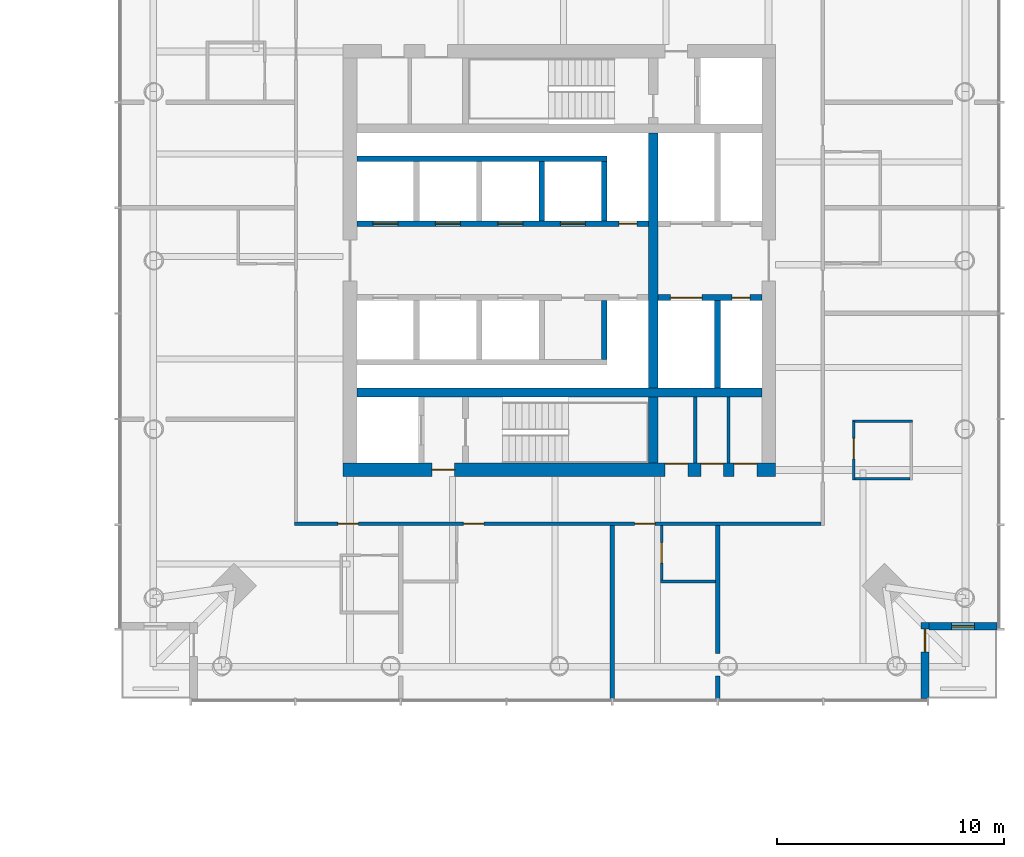
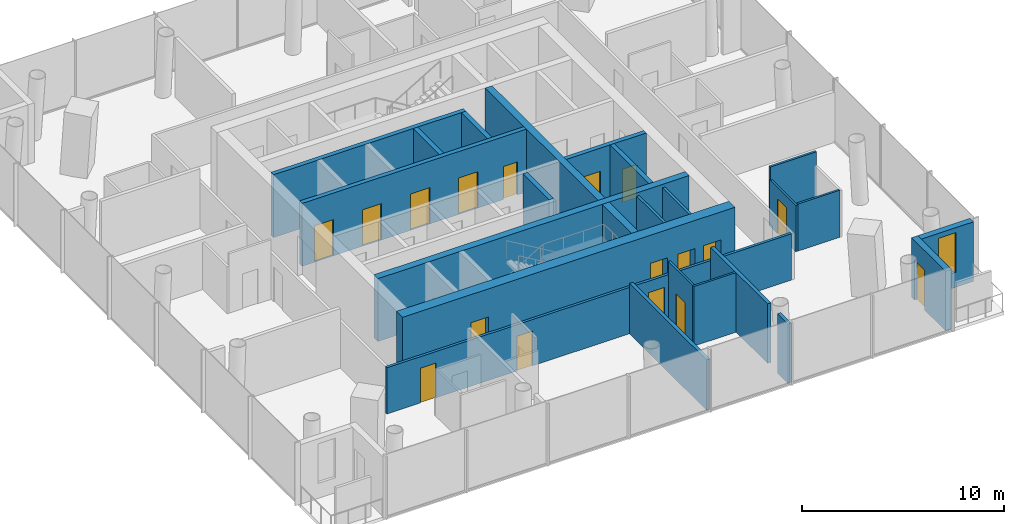
# One storey, part 15 of 21: 24 walls, 17 doors, 1 window, 18 openings.
"""IFC4 building model written with IfcOpenShell, lengths in metres."""

from ifc_helpers import new_model, si_unit, direction, frame, frame_2d, origin, place, context, subcontext, project, spatial, rectangle, extrude, material, layer, layer_set, type_object, element, fill, save


model = new_model("IFC4")

# Units and contexts
model_context = context("Model", 3, precision=1e-05, world=origin(), true_north=direction((0.0, 1.0)))
body_context = subcontext(model_context, "Body", "Model", "MODEL_VIEW")
ifc_project = project(units=[si_unit("LENGTHUNIT", "METRE"), si_unit("AREAUNIT", "SQUARE_METRE"), si_unit("VOLUMEUNIT", "CUBIC_METRE"), si_unit("PLANEANGLEUNIT", "RADIAN"), si_unit("MASSUNIT", "GRAM", prefix="KILO")], contexts=[model_context])

# Site, building, storey
site_placement = place(None, origin())
site = spatial("IfcSite", under=ifc_project, at=site_placement, CompositionType="ELEMENT")
building_placement = place(site_placement, origin())
building = spatial("IfcBuilding", under=site, at=building_placement, Name="Ostroluk Exchange", CompositionType="ELEMENT")
storey_placement = place(building_placement, frame((0.0, 0.0, 47.60009765625)))
storey = spatial("IfcBuildingStorey", under=building, at=storey_placement, Name="L11", CompositionType="ELEMENT", Elevation=47.60009765625)

# Walls
ifc_material_1 = material(Name="Concrete blockwork", Category="masonry")
ifc_layer_1 = layer(ifc_material_1, 0.14990234375)
ifc_layer_set_1 = layer_set([ifc_layer_1], Name="Blockwork plant room wall 150")
wall_type_1 = type_object("IfcWallType", Name="Blockwork plant room wall 150", PredefinedType="SOLIDWALL", material=ifc_layer_set_1)
for number, where, z_axis, x_axis, name in (
    (1, (122.97509765625, 37.10009765625, 0.0), (0.0, 0.0, 1.0), (0.0, 1.0, 0.0), "Core room wall"),
    (2, (124.4375, 37.10009765625, 0.0), (0.0, 0.0, 1.0), (0.0, 1.0, 0.0), "Core room wall"),
):
    element("IfcWall", number, at=place(storey_placement, frame(where, z_axis=z_axis, x_axis=x_axis)), inside=storey, type_object=wall_type_1, Name=name, PredefinedType="SOLIDWALL", context=body_context, shape_type="SweptSolid", body=[
        extrude(rectangle(XDim=2.89990234375, YDim=0.14990234375, at=frame_2d((1.449951171875, 0.0))), origin(), (0.0, 0.0, 1.0), 3.599853515625),
    ])
ifc_material_2 = material(Name="Concrete C50/60", Category="concrete")
ifc_layer_2 = layer(ifc_material_2, 0.39990234375)
ifc_layer_set_2 = layer_set([ifc_layer_2], Name="Core cross wall 400 C50/60")
wall_type_2 = type_object("IfcWallType", Name="Core cross wall 400 C50/60", PredefinedType="SHEAR", material=ifc_layer_set_2)
wall_1_placement = place(storey_placement, frame((108.10009765625, 40.199951171875, 0.0), z_axis=(0.0, 0.0, 1.0), x_axis=(1.0, 0.0, 0.0)))
element("IfcWall", 3, at=wall_1_placement, inside=storey, type_object=wall_type_2, Name="T2 core wall XS", PredefinedType="SHEAR", context=body_context, shape_type="SweptSolid", body=[
    extrude(rectangle(XDim=17.7998046875, YDim=0.39990234375, at=frame_2d((8.89990234375, 0.0))), origin(), (0.0, 0.0, 1.0), 3.7998046875),
])
wall_2_placement = place(storey_placement, frame((121.1298828125, 37.10009765625, 0.0), z_axis=(0.0, 0.0, 1.0), x_axis=(0.0, 1.0, 0.0)))
element("IfcWall", 4, at=wall_2_placement, inside=storey, type_object=wall_type_2, Name="T2 core wall YE1", PredefinedType="SHEAR", context=body_context, shape_type="SweptSolid", body=[
    extrude(rectangle(XDim=2.89990234375, YDim=0.39990234375, at=frame_2d((1.449951171875, 0.0))), origin(), (0.0, 0.0, 1.0), 3.7998046875),
])
wall_3_placement = place(storey_placement, frame((121.1298828125, 40.39990234375, 0.0), z_axis=(0.0, 0.0, 1.0), x_axis=(0.0, 1.0, 0.0)))
element("IfcWall", 5, at=wall_3_placement, inside=storey, type_object=wall_type_2, Name="T2 core wall YE2", PredefinedType="SHEAR", context=body_context, shape_type="SweptSolid", body=[
    extrude(rectangle(XDim=11.2001953125, YDim=0.39990234375, at=frame_2d((5.60009765625, 0.0))), origin(), (0.0, 0.0, 1.0), 3.7998046875),
])
ifc_material_3 = material(Name="Concrete C40/50", Category="concrete")
ifc_layer_3 = layer(ifc_material_3, 0.25)
ifc_layer_set_3 = layer_set([ifc_layer_3], Name="Core shaft wall 250")
wall_type_3 = type_object("IfcWallType", Name="Core shaft wall 250", PredefinedType="SHEAR", material=ifc_layer_set_3)
for number, where, z_axis, x_axis, name in (
    (6, (116.22509765625, 47.75, 0.0), (0.0, 0.0, 1.0), (0.0, 1.0, 0.0), "Lift shaft wall"),
    (7, (118.97509765625, 47.75, 0.0), (0.0, 0.0, 1.0), (0.0, 1.0, 0.0), "Lift shaft wall"),
):
    element("IfcWall", number, at=place(storey_placement, frame(where, z_axis=z_axis, x_axis=x_axis)), inside=storey, type_object=wall_type_3, Name=name, PredefinedType="SHEAR", context=body_context, shape_type="SweptSolid", body=[
        extrude(rectangle(XDim=2.60009765625, YDim=0.25, at=frame_2d((1.300048828125, 0.0))), origin(), (0.0, 0.0, 1.0), 3.7998046875),
    ])
wall_4_placement = place(storey_placement, frame((108.10009765625, 50.47509765625, 0.0), z_axis=(0.0, 0.0, 1.0), x_axis=(1.0, 0.0, 0.0)))
element("IfcWall", 8, at=wall_4_placement, inside=storey, type_object=wall_type_3, Name="Lift shaft wall", PredefinedType="SHEAR", context=body_context, shape_type="SweptSolid", body=[
    extrude(rectangle(XDim=11.0, YDim=0.25, at=frame_2d((5.5, 0.0))), origin(), (0.0, 0.0, 1.0), 3.7998046875),
])

# Wall, openings, doors
wall_5_placement = place(storey_placement, frame((108.10009765625, 47.625, 0.0), z_axis=(0.0, 0.0, 1.0), x_axis=(1.0, 0.0, 0.0)))
wall_5 = element("IfcWall", 9, at=wall_5_placement, inside=storey, type_object=wall_type_3, Name="Lift shaft front wall", PredefinedType="SHEAR", context=body_context, shape_type="SweptSolid", body=[
    extrude(rectangle(XDim=12.829833984375, YDim=0.25, at=frame_2d((6.4150390625, 0.0))), origin(), (0.0, 0.0, 1.0), 3.7998046875),
])
opening_1_placement = place(wall_5_placement, frame((0.699951171875, 0.0, 0.0)))
opening_1 = element("IfcOpeningElement", 10, at=opening_1_placement, cuts=wall_5, Name="Opening LD", PredefinedType="OPENING", context=body_context, shape_type="SweptSolid", body=[
    extrude(rectangle(XDim=1.10009765625, YDim=2.199951171875, at=frame_2d((0.550048828125, 1.10009765625))), frame((0.0, 0.135009765625, 0.0), z_axis=(0.0, -1.0, 0.0), x_axis=(1.0, 0.0, 0.0)), (0.0, 0.0, 1.0), 0.27001953125),
])
opening_2_placement = place(wall_5_placement, frame((3.449951171875, 0.0, 0.0)))
opening_2 = element("IfcOpeningElement", 11, at=opening_2_placement, cuts=wall_5, Name="Opening LD", PredefinedType="OPENING", context=body_context, shape_type="SweptSolid", body=[
    extrude(rectangle(XDim=1.10009765625, YDim=2.199951171875, at=frame_2d((0.550048828125, 1.10009765625))), frame((0.0, 0.135009765625, 0.0), z_axis=(0.0, -1.0, 0.0), x_axis=(1.0, 0.0, 0.0)), (0.0, 0.0, 1.0), 0.27001953125),
])
opening_3_placement = place(wall_5_placement, frame((6.199951171875, 0.0, 0.0)))
opening_3 = element("IfcOpeningElement", 12, at=opening_3_placement, cuts=wall_5, Name="Opening LD", PredefinedType="OPENING", context=body_context, shape_type="SweptSolid", body=[
    extrude(rectangle(XDim=1.10009765625, YDim=2.199951171875, at=frame_2d((0.550048828125, 1.10009765625))), frame((0.0, 0.135009765625, 0.0), z_axis=(0.0, -1.0, 0.0), x_axis=(1.0, 0.0, 0.0)), (0.0, 0.0, 1.0), 0.27001953125),
])
opening_4_placement = place(wall_5_placement, frame((8.949951171875, 0.0, 0.0)))
opening_4 = element("IfcOpeningElement", 13, at=opening_4_placement, cuts=wall_5, Name="Opening LD", PredefinedType="OPENING", context=body_context, shape_type="SweptSolid", body=[
    extrude(rectangle(XDim=1.10009765625, YDim=2.199951171875, at=frame_2d((0.550048828125, 1.10009765625))), frame((0.0, 0.135009765625, 0.0), z_axis=(0.0, -1.0, 0.0), x_axis=(1.0, 0.0, 0.0)), (0.0, 0.0, 1.0), 0.27001953125),
])
opening_5_placement = place(wall_5_placement, frame((11.514892578125, 0.0, 0.0)))
opening_5 = element("IfcOpeningElement", 14, at=opening_5_placement, cuts=wall_5, Name="Opening RD60", PredefinedType="OPENING", context=body_context, shape_type="SweptSolid", body=[
    extrude(rectangle(XDim=0.800048828125, YDim=2.0, at=frame_2d((0.39990234375, 1.0))), frame((0.0, 0.135009765625, 0.0), z_axis=(0.0, -1.0, 0.0), x_axis=(1.0, 0.0, 0.0)), (0.0, 0.0, 1.0), 0.27001953125),
])
ifc_material_4 = material(Name="Stainless steel", Category="steel")
door_type_1 = type_object("IfcDoorType", Name="Lift landing door E 60 1100 x 2200", OperationType="DOUBLE_DOOR_SLIDING", PredefinedType="DOOR", material=ifc_material_4)
door_1_placement = place(opening_1_placement, origin())
door_1 = element("IfcDoor", 15, at=door_1_placement, inside=storey, type_object=door_type_1, Name="Lift HL1 landing door", OperationType="DOUBLE_DOOR_SLIDING", OverallHeight=2.199951171875, OverallWidth=1.10009765625, PredefinedType="DOOR", context=body_context, shape_type="SweptSolid", body=[
    extrude(rectangle(XDim=1.10009765625, YDim=2.199951171875, at=frame_2d((0.550048828125, 1.10009765625))), frame((0.0, 0.02490234375, 0.0), z_axis=(0.0, -1.0, 0.0), x_axis=(1.0, 0.0, 0.0)), (0.0, 0.0, 1.0), 0.050048828125),
])
fill(opening_1, door_1)
door_2_placement = place(opening_2_placement, origin())
door_2 = element("IfcDoor", 16, at=door_2_placement, inside=storey, type_object=door_type_1, Name="Lift HL2 landing door", OperationType="DOUBLE_DOOR_SLIDING", OverallHeight=2.199951171875, OverallWidth=1.10009765625, PredefinedType="DOOR", context=body_context, shape_type="SweptSolid", body=[
    extrude(rectangle(XDim=1.10009765625, YDim=2.199951171875, at=frame_2d((0.550048828125, 1.10009765625))), frame((0.0, 0.02490234375, 0.0), z_axis=(0.0, -1.0, 0.0), x_axis=(1.0, 0.0, 0.0)), (0.0, 0.0, 1.0), 0.050048828125),
])
fill(opening_2, door_2)
door_3_placement = place(opening_3_placement, origin())
door_3 = element("IfcDoor", 17, at=door_3_placement, inside=storey, type_object=door_type_1, Name="Lift HL3 landing door", OperationType="DOUBLE_DOOR_SLIDING", OverallHeight=2.199951171875, OverallWidth=1.10009765625, PredefinedType="DOOR", context=body_context, shape_type="SweptSolid", body=[
    extrude(rectangle(XDim=1.10009765625, YDim=2.199951171875, at=frame_2d((0.550048828125, 1.10009765625))), frame((0.0, 0.02490234375, 0.0), z_axis=(0.0, -1.0, 0.0), x_axis=(1.0, 0.0, 0.0)), (0.0, 0.0, 1.0), 0.050048828125),
])
fill(opening_3, door_3)
door_4_placement = place(opening_4_placement, origin())
door_4 = element("IfcDoor", 18, at=door_4_placement, inside=storey, type_object=door_type_1, Name="Lift HL4 landing door", OperationType="DOUBLE_DOOR_SLIDING", OverallHeight=2.199951171875, OverallWidth=1.10009765625, PredefinedType="DOOR", context=body_context, shape_type="SweptSolid", body=[
    extrude(rectangle(XDim=1.10009765625, YDim=2.199951171875, at=frame_2d((0.550048828125, 1.10009765625))), frame((0.0, 0.02490234375, 0.0), z_axis=(0.0, -1.0, 0.0), x_axis=(1.0, 0.0, 0.0)), (0.0, 0.0, 1.0), 0.050048828125),
])
fill(opening_4, door_4)
ifc_material_5 = material(Name="Steel", Category="steel")
door_type_2 = type_object("IfcDoorType", Name="Riser access door EI 60 800 x 2000", OperationType="SINGLE_SWING_LEFT", PredefinedType="DOOR", material=ifc_material_5)
door_5_placement = place(opening_5_placement, origin())
door_5 = element("IfcDoor", 19, at=door_5_placement, inside=storey, type_object=door_type_2, Name="Riser access door", OperationType="SINGLE_SWING_RIGHT", OverallHeight=2.0, OverallWidth=0.800048828125, PredefinedType="DOOR", context=body_context, shape_type="SweptSolid", body=[
    extrude(rectangle(XDim=0.800048828125, YDim=2.0, at=frame_2d((0.39990234375, 1.0))), frame((0.0, 0.02490234375, 0.0), z_axis=(0.0, -1.0, 0.0), x_axis=(1.0, 0.0, 0.0)), (0.0, 0.0, 1.0), 0.050048828125),
])
fill(opening_5, door_5)

# Walls
wall_6_placement = place(storey_placement, frame((118.97509765625, 44.25, 0.0), z_axis=(0.0, 0.0, 1.0), x_axis=(0.0, -1.0, 0.0)))
element("IfcWall", 20, at=wall_6_placement, inside=storey, type_object=wall_type_3, Name="Lift shaft wall", PredefinedType="SHEAR", context=body_context, shape_type="SweptSolid", body=[
    extrude(rectangle(XDim=2.60009765625, YDim=0.25, at=frame_2d((1.300048828125, 0.0))), origin(), (0.0, 0.0, 1.0), 3.7998046875),
])
wall_7_placement = place(storey_placement, frame((123.955078125, 44.25, 0.0), z_axis=(0.0, 0.0, 1.0), x_axis=(0.0, -1.0, 0.0)))
element("IfcWall", 21, at=wall_7_placement, inside=storey, type_object=wall_type_3, Name="Lift shaft wall", PredefinedType="SHEAR", context=body_context, shape_type="SweptSolid", body=[
    extrude(rectangle(XDim=3.85009765625, YDim=0.25, at=frame_2d((1.925048828125, 0.0))), origin(), (0.0, 0.0, 1.0), 3.7998046875),
])

# Wall, openings, doors
wall_8_placement = place(storey_placement, frame((121.330078125, 44.375, 0.0), z_axis=(0.0, 0.0, 1.0), x_axis=(1.0, 0.0, 0.0)))
wall_8 = element("IfcWall", 22, at=wall_8_placement, inside=storey, type_object=wall_type_3, Name="Lift shaft front wall", PredefinedType="SHEAR", context=body_context, shape_type="SweptSolid", body=[
    extrude(rectangle(XDim=4.56982421875, YDim=0.25, at=frame_2d((2.284912109375, 0.0))), origin(), (0.0, 0.0, 1.0), 3.7998046875),
])
opening_6_placement = place(wall_8_placement, frame((0.550048828125, 0.0, 0.0)))
opening_6 = element("IfcOpeningElement", 23, at=opening_6_placement, cuts=wall_8, Name="Opening LD3", PredefinedType="OPENING", context=body_context, shape_type="SweptSolid", body=[
    extrude(rectangle(XDim=1.39990234375, YDim=2.39990234375, at=frame_2d((0.699951171875, 1.199951171875))), frame((0.0, 0.135009765625, 0.0), z_axis=(0.0, -1.0, 0.0), x_axis=(1.0, 0.0, 0.0)), (0.0, 0.0, 1.0), 0.27001953125),
])
opening_7_placement = place(wall_8_placement, frame((3.260009765625, 0.0, 0.0)))
opening_7 = element("IfcOpeningElement", 24, at=opening_7_placement, cuts=wall_8, Name="Opening RD60", PredefinedType="OPENING", context=body_context, shape_type="SweptSolid", body=[
    extrude(rectangle(XDim=0.800048828125, YDim=2.0, at=frame_2d((0.39990234375, 1.0))), frame((0.0, 0.135009765625, 0.0), z_axis=(0.0, -1.0, 0.0), x_axis=(1.0, 0.0, 0.0)), (0.0, 0.0, 1.0), 0.27001953125),
])
ifc_material_6 = material(Name="Stainless steel", Category="steel")
door_type_3 = type_object("IfcDoorType", Name="Goods lift landing door E 60 1400 x 2400", OperationType="DOUBLE_DOOR_SLIDING", PredefinedType="DOOR", material=ifc_material_6)
door_6_placement = place(opening_6_placement, origin())
door_6 = element("IfcDoor", 25, at=door_6_placement, inside=storey, type_object=door_type_3, Name="Lift HS2 landing door", OperationType="DOUBLE_DOOR_SLIDING", OverallHeight=2.39990234375, OverallWidth=1.39990234375, PredefinedType="DOOR", context=body_context, shape_type="SweptSolid", body=[
    extrude(rectangle(XDim=1.39990234375, YDim=2.39990234375, at=frame_2d((0.699951171875, 1.199951171875))), frame((0.0, 0.02490234375, 0.0), z_axis=(0.0, -1.0, 0.0), x_axis=(1.0, 0.0, 0.0)), (0.0, 0.0, 1.0), 0.050048828125),
])
fill(opening_6, door_6)
door_7_placement = place(opening_7_placement, origin())
door_7 = element("IfcDoor", 26, at=door_7_placement, inside=storey, type_object=door_type_2, Name="Riser access door", OperationType="SINGLE_SWING_RIGHT", OverallHeight=2.0, OverallWidth=0.800048828125, PredefinedType="DOOR", context=body_context, shape_type="SweptSolid", body=[
    extrude(rectangle(XDim=0.800048828125, YDim=2.0, at=frame_2d((0.39990234375, 1.0))), frame((0.0, 0.02490234375, 0.0), z_axis=(0.0, -1.0, 0.0), x_axis=(1.0, 0.0, 0.0)), (0.0, 0.0, 1.0), 0.050048828125),
])
fill(opening_7, door_7)

ifc_material_7 = material(Name="Concrete C50/60", Category="concrete")
ifc_layer_4 = layer(ifc_material_7, 0.60009765625)
ifc_layer_set_4 = layer_set([ifc_layer_4], Name="Core wall 600 C50/60")
wall_type_4 = type_object("IfcWallType", Name="Core wall 600 C50/60", PredefinedType="SHEAR", material=ifc_layer_set_4)
wall_9_placement = place(storey_placement, frame((107.5, 36.800048828125, 0.0), z_axis=(0.0, 0.0, 1.0), x_axis=(1.0, 0.0, 0.0)))
wall_9 = element("IfcWall", 27, at=wall_9_placement, inside=storey, type_object=wall_type_4, Name="T2 core wall S", PredefinedType="SHEAR", context=body_context, shape_type="SweptSolid", body=[
    extrude(rectangle(XDim=19.0, YDim=0.60009765625, at=frame_2d((9.5, 0.0))), origin(), (0.0, 0.0, 1.0), 3.7998046875),
])
opening_8_placement = place(wall_9_placement, frame((3.89990234375, 0.0, 0.0)))
opening_8 = element("IfcOpeningElement", 28, at=opening_8_placement, cuts=wall_9, Name="Opening FD60", PredefinedType="OPENING", context=body_context, shape_type="SweptSolid", body=[
    extrude(rectangle(XDim=1.0, YDim=2.10009765625, at=frame_2d((0.5, 1.050048828125))), frame((0.0, 0.31005859375, 0.0), z_axis=(0.0, -1.0, 0.0), x_axis=(1.0, 0.0, 0.0)), (0.0, 0.0, 1.0), 0.6201171875),
])
opening_9_placement = place(wall_9_placement, frame((14.152587890625, 0.0, 0.0)))
opening_9 = element("IfcOpeningElement", 29, at=opening_9_placement, cuts=wall_9, Name="Opening FD60", PredefinedType="OPENING", context=body_context, shape_type="SweptSolid", body=[
    extrude(rectangle(XDim=1.0, YDim=2.10009765625, at=frame_2d((0.5, 1.050048828125))), frame((0.0, 0.31005859375, 0.0), z_axis=(0.0, -1.0, 0.0), x_axis=(1.0, 0.0, 0.0)), (0.0, 0.0, 1.0), 0.6201171875),
])
opening_10_placement = place(wall_9_placement, frame((15.72509765625, 0.0, 0.0)))
opening_10 = element("IfcOpeningElement", 30, at=opening_10_placement, cuts=wall_9, Name="Opening FD60", PredefinedType="OPENING", context=body_context, shape_type="SweptSolid", body=[
    extrude(rectangle(XDim=1.0, YDim=2.10009765625, at=frame_2d((0.5, 1.050048828125))), frame((0.0, 0.31005859375, 0.0), z_axis=(0.0, -1.0, 0.0), x_axis=(1.0, 0.0, 0.0)), (0.0, 0.0, 1.0), 0.6201171875),
])
opening_11_placement = place(wall_9_placement, frame((17.1875, 0.0, 0.0)))
opening_11 = element("IfcOpeningElement", 31, at=opening_11_placement, cuts=wall_9, Name="Opening FD60", PredefinedType="OPENING", context=body_context, shape_type="SweptSolid", body=[
    extrude(rectangle(XDim=1.0, YDim=2.10009765625, at=frame_2d((0.5, 1.050048828125))), frame((0.0, 0.31005859375, 0.0), z_axis=(0.0, -1.0, 0.0), x_axis=(1.0, 0.0, 0.0)), (0.0, 0.0, 1.0), 0.6201171875),
])
ifc_material_8 = material(Name="Steel", Category="steel")
door_type_4 = type_object("IfcDoorType", Name="Fire door EI 60 1000 x 2100", OperationType="SINGLE_SWING_LEFT", PredefinedType="DOOR", material=ifc_material_8)
door_8_placement = place(opening_8_placement, origin())
door_8 = element("IfcDoor", 32, at=door_8_placement, inside=storey, type_object=door_type_4, Name="Firefighting lobby door", OperationType="SINGLE_SWING_LEFT", OverallHeight=2.10009765625, OverallWidth=1.0, PredefinedType="DOOR", context=body_context, shape_type="SweptSolid", body=[
    extrude(rectangle(XDim=1.0, YDim=2.10009765625, at=frame_2d((0.5, 1.050048828125))), frame((0.0, 0.02490234375, 0.0), z_axis=(0.0, -1.0, 0.0), x_axis=(1.0, 0.0, 0.0)), (0.0, 0.0, 1.0), 0.050048828125),
])
fill(opening_8, door_8)
door_9_placement = place(opening_9_placement, origin())
door_9 = element("IfcDoor", 33, at=door_9_placement, inside=storey, type_object=door_type_4, Name="Luggage store door", OperationType="SINGLE_SWING_RIGHT", OverallHeight=2.10009765625, OverallWidth=1.0, PredefinedType="DOOR", context=body_context, shape_type="SweptSolid", body=[
    extrude(rectangle(XDim=1.0, YDim=2.10009765625, at=frame_2d((0.5, 1.050048828125))), frame((0.0, 0.2900390625, 0.0), z_axis=(0.0, -1.0, 0.0), x_axis=(1.0, 0.0, 0.0)), (0.0, 0.0, 1.0), 0.050048828125),
])
fill(opening_9, door_9)
door_10_placement = place(opening_10_placement, origin())
door_10 = element("IfcDoor", 34, at=door_10_placement, inside=storey, type_object=door_type_4, Name="Comms room door", OperationType="SINGLE_SWING_RIGHT", OverallHeight=2.10009765625, OverallWidth=1.0, PredefinedType="DOOR", context=body_context, shape_type="SweptSolid", body=[
    extrude(rectangle(XDim=1.0, YDim=2.10009765625, at=frame_2d((0.5, 1.050048828125))), frame((0.0, 0.2900390625, 0.0), z_axis=(0.0, -1.0, 0.0), x_axis=(1.0, 0.0, 0.0)), (0.0, 0.0, 1.0), 0.050048828125),
])
fill(opening_10, door_10)
door_11_placement = place(opening_11_placement, origin())
door_11 = element("IfcDoor", 35, at=door_11_placement, inside=storey, type_object=door_type_4, Name="Linen store door", OperationType="SINGLE_SWING_RIGHT", OverallHeight=2.10009765625, OverallWidth=1.0, PredefinedType="DOOR", context=body_context, shape_type="SweptSolid", body=[
    extrude(rectangle(XDim=1.0, YDim=2.10009765625, at=frame_2d((0.5, 1.050048828125))), frame((0.0, 0.2900390625, 0.0), z_axis=(0.0, -1.0, 0.0), x_axis=(1.0, 0.0, 0.0)), (0.0, 0.0, 1.0), 0.050048828125),
])
fill(opening_11, door_11)

# Wall, opening, door
ifc_material_9 = material(Name="Limestone", Category="masonry")
ifc_layer_5 = layer(ifc_material_9, 0.35009765625)
ifc_layer_set_5 = layer_set([ifc_layer_5], Name="Limestone facade wall 350")
wall_type_5 = type_object("IfcWallType", Name="Limestone facade wall 350", PredefinedType="SOLIDWALL", material=ifc_layer_set_5)
wall_10_placement = place(storey_placement, frame((133.074951171875, 26.75, 0.0), z_axis=(0.0, 0.0, 1.0), x_axis=(0.0, 1.0, 0.0)))
wall_10 = element("IfcWall", 36, at=wall_10_placement, inside=storey, type_object=wall_type_5, Name="Hotel tower SE corner wall L11 a", PredefinedType="SOLIDWALL", context=body_context, shape_type="SweptSolid", body=[
    extrude(rectangle(XDim=3.35009765625, YDim=0.35009765625, at=frame_2d((1.675048828125, 0.0))), origin(), (0.0, 0.0, 1.0), 3.599853515625),
])
opening_12_placement = place(wall_10_placement, frame((2.050048828125, 0.0, 0.0)))
opening_12 = element("IfcOpeningElement", 37, at=opening_12_placement, cuts=wall_10, Name="Opening D-B1", PredefinedType="OPENING", context=body_context, shape_type="SweptSolid", body=[
    extrude(rectangle(XDim=1.0, YDim=2.39990234375, at=frame_2d((0.5, 1.199951171875))), frame((0.0, 0.18505859375, 0.0), z_axis=(0.0, -1.0, 0.0), x_axis=(1.0, 0.0, 0.0)), (0.0, 0.0, 1.0), 0.3701171875),
])
ifc_material_10 = material(Name="Bronze framed glazed door", Category="aluminium")
door_type_5 = type_object("IfcDoorType", Name="Balcony door 1000 x 2400", OperationType="SINGLE_SWING_LEFT", PredefinedType="DOOR", material=ifc_material_10)
door_12_placement = place(opening_12_placement, origin())
door_12 = element("IfcDoor", 38, at=door_12_placement, inside=storey, type_object=door_type_5, Name="Hotel tower SE balcony door L11", OperationType="SINGLE_SWING_RIGHT", OverallHeight=2.39990234375, OverallWidth=1.0, PredefinedType="DOOR", context=body_context, shape_type="SweptSolid", body=[
    extrude(rectangle(XDim=1.0, YDim=2.39990234375, at=frame_2d((0.5, 1.199951171875))), frame((0.0, 0.02490234375, 0.0), z_axis=(0.0, -1.0, 0.0), x_axis=(1.0, 0.0, 0.0)), (0.0, 0.0, 1.0), 0.050048828125),
])
fill(opening_12, door_12)

# Wall, opening, window
wall_11_placement = place(storey_placement, frame((133.25, 29.925048828125, 0.0), z_axis=(0.0, 0.0, 1.0), x_axis=(1.0, 0.0, 0.0)))
wall_11 = element("IfcWall", 39, at=wall_11_placement, inside=storey, type_object=wall_type_5, Name="Hotel tower SE corner wall L11 b", PredefinedType="SOLIDWALL", context=body_context, shape_type="SweptSolid", body=[
    extrude(rectangle(XDim=3.0, YDim=0.35009765625, at=frame_2d((1.5, 0.0))), origin(), (0.0, 0.0, 1.0), 3.599853515625),
])
opening_13_placement = place(wall_11_placement, frame((1.0, 0.0, 0.89990234375)))
opening_13 = element("IfcOpeningElement", 40, at=opening_13_placement, cuts=wall_11, Name="Opening WN-L3", PredefinedType="OPENING", context=body_context, shape_type="SweptSolid", body=[
    extrude(rectangle(XDim=1.0, YDim=2.39990234375, at=frame_2d((0.5, 1.199951171875))), frame((0.0, 0.18505859375, 0.0), z_axis=(0.0, -1.0, 0.0), x_axis=(1.0, 0.0, 0.0)), (0.0, 0.0, 1.0), 0.3701171875),
])
ifc_material_11 = material(Name="Laminated clear glass", Category="glass")
window_type = type_object("IfcWindowType", Name="Hotel lancet window 1000 x 2400", PartitioningType="SINGLE_PANEL", PredefinedType="WINDOW", material=ifc_material_11)
window_placement = place(opening_13_placement, origin())
window = element("IfcWindow", 41, at=window_placement, inside=storey, type_object=window_type, Name="Hotel tower SE lancet window L11", OverallHeight=2.39990234375, OverallWidth=1.0, PartitioningType="SINGLE_PANEL", PredefinedType="WINDOW", context=body_context, shape_type="SweptSolid", body=[
    extrude(rectangle(XDim=1.0, YDim=2.39990234375, at=frame_2d((0.5, 1.199951171875))), frame((0.0, 0.030029296875, 0.0), z_axis=(0.0, -1.0, 0.0), x_axis=(1.0, 0.0, 0.0)), (0.0, 0.0, 1.0), 0.06005859375),
])
fill(opening_13, window)

# Wall, opening, door
ifc_material_12 = material(Name="Gypsum plasterboard partition, moisture resistant", Category="gypsum")
ifc_layer_6 = layer(ifc_material_12, 0.1201171875)
ifc_layer_set_6 = layer_set([ifc_layer_6], Name="Plasterboard en-suite wall 120")
wall_type_6 = type_object("IfcWallType", Name="Plasterboard en-suite wall 120", PredefinedType="PARTITIONING", material=ifc_layer_set_6)
wall_12_placement = place(storey_placement, frame((129.949951171875, 38.935791015625, 0.0), z_axis=(0.0, 0.0, 1.0), x_axis=(0.0, -1.0, 0.0)))
wall_12 = element("IfcWall", 42, at=wall_12_placement, inside=storey, type_object=wall_type_6, Name="En-suite wall", PredefinedType="PARTITIONING", context=body_context, shape_type="SweptSolid", body=[
    extrude(rectangle(XDim=2.580078125, YDim=0.1201171875, at=frame_2d((1.2900390625, 0.0))), origin(), (0.0, 0.0, 1.0), 2.7998046875),
])
opening_14_placement = place(wall_12_placement, frame((0.75, 0.0, 0.0)))
opening_14 = element("IfcOpeningElement", 43, at=opening_14_placement, cuts=wall_12, Name="Opening D-02", PredefinedType="OPENING", context=body_context, shape_type="SweptSolid", body=[
    extrude(rectangle(XDim=0.89990234375, YDim=2.10009765625, at=frame_2d((0.449951171875, 1.050048828125))), frame((0.0, 0.070068359375, 0.0), z_axis=(0.0, -1.0, 0.0), x_axis=(1.0, 0.0, 0.0)), (0.0, 0.0, 1.0), 0.14013671875),
])
ifc_material_13 = material(Name="Timber", Category="wood")
door_type_6 = type_object("IfcDoorType", Name="En-suite door 900 x 2100", OperationType="SINGLE_SWING_LEFT", PredefinedType="DOOR", material=ifc_material_13)
door_13_placement = place(opening_14_placement, origin())
door_13 = element("IfcDoor", 44, at=door_13_placement, inside=storey, type_object=door_type_6, Name="En-suite door 1101", OperationType="SINGLE_SWING_LEFT", OverallHeight=2.10009765625, OverallWidth=0.89990234375, PredefinedType="DOOR", context=body_context, shape_type="SweptSolid", body=[
    extrude(rectangle(XDim=0.89990234375, YDim=2.10009765625, at=frame_2d((0.449951171875, 1.050048828125))), frame((0.0, 0.02490234375, 0.0), z_axis=(0.0, -1.0, 0.0), x_axis=(1.0, 0.0, 0.0)), (0.0, 0.0, 1.0), 0.050048828125),
])
fill(opening_14, door_13)

# Walls
wall_13_placement = place(storey_placement, frame((130.010009765625, 36.415771484375, 0.0), z_axis=(0.0, 0.0, 1.0), x_axis=(1.0, 0.0, 0.0)))
element("IfcWall", 45, at=wall_13_placement, inside=storey, type_object=wall_type_6, Name="En-suite wall", PredefinedType="PARTITIONING", context=body_context, shape_type="SweptSolid", body=[
    extrude(rectangle(XDim=2.39990234375, YDim=0.1201171875, at=frame_2d((1.199951171875, 0.0))), origin(), (0.0, 0.0, 1.0), 2.846923828125),
])
wall_14_placement = place(storey_placement, frame((129.889892578125, 38.935791015625, 0.0), z_axis=(0.0, 0.0, 1.0), x_axis=(1.0, 0.0, 0.0)))
element("IfcWall", 46, at=wall_14_placement, inside=storey, type_object=wall_type_6, Name="En-suite wall", PredefinedType="PARTITIONING", context=body_context, shape_type="SweptSolid", body=[
    extrude(rectangle(XDim=2.64013671875, YDim=0.1201171875, at=frame_2d((1.320068359375, 0.0))), origin(), (0.0, 0.0, 1.0), 3.599853515625),
])
wall_15_placement = place(storey_placement, frame((121.4443359375, 31.889892578125, 0.0), z_axis=(0.0, 0.0, 1.0), x_axis=(1.0, 0.0, 0.0)))
element("IfcWall", 47, at=wall_15_placement, inside=storey, type_object=wall_type_6, Name="En-suite wall", PredefinedType="PARTITIONING", context=body_context, shape_type="SweptSolid", body=[
    extrude(rectangle(XDim=2.419921875, YDim=0.1201171875, at=frame_2d((1.2099609375, 0.0))), origin(), (0.0, 0.0, 1.0), 3.599853515625),
])

# Wall, opening, door
wall_16_placement = place(storey_placement, frame((121.50439453125, 34.35009765625, 0.0), z_axis=(0.0, 0.0, 1.0), x_axis=(0.0, -1.0, 0.0)))
wall_16 = element("IfcWall", 48, at=wall_16_placement, inside=storey, type_object=wall_type_6, Name="En-suite wall", PredefinedType="PARTITIONING", context=body_context, shape_type="SweptSolid", body=[
    extrude(rectangle(XDim=2.400146484375, YDim=0.1201171875, at=frame_2d((1.2001953125, 0.0))), origin(), (0.0, 0.0, 1.0), 3.599853515625),
])
opening_15_placement = place(wall_16_placement, frame((0.75, 0.0, 0.0)))
opening_15 = element("IfcOpeningElement", 49, at=opening_15_placement, cuts=wall_16, Name="Opening D-02", PredefinedType="OPENING", context=body_context, shape_type="SweptSolid", body=[
    extrude(rectangle(XDim=0.89990234375, YDim=2.10009765625, at=frame_2d((0.449951171875, 1.050048828125))), frame((0.0, 0.070068359375, 0.0), z_axis=(0.0, -1.0, 0.0), x_axis=(1.0, 0.0, 0.0)), (0.0, 0.0, 1.0), 0.14013671875),
])
door_14_placement = place(opening_15_placement, origin())
door_14 = element("IfcDoor", 50, at=door_14_placement, inside=storey, type_object=door_type_6, Name="En-suite door 1111", OperationType="SINGLE_SWING_LEFT", OverallHeight=2.10009765625, OverallWidth=0.89990234375, PredefinedType="DOOR", context=body_context, shape_type="SweptSolid", body=[
    extrude(rectangle(XDim=0.89990234375, YDim=2.10009765625, at=frame_2d((0.449951171875, 1.050048828125))), frame((0.0, 0.02490234375, 0.0), z_axis=(0.0, -1.0, 0.0), x_axis=(1.0, 0.0, 0.0)), (0.0, 0.0, 1.0), 0.050048828125),
])
fill(opening_15, door_14)

# Wall, openings, doors
ifc_material_14 = material(Name="Gypsum plasterboard partition", Category="gypsum")
ifc_layer_7 = layer(ifc_material_14, 0.14990234375)
ifc_layer_set_7 = layer_set([ifc_layer_7], Name="Plasterboard partition 150")
wall_type_7 = type_object("IfcWallType", Name="Plasterboard partition 150", PredefinedType="PARTITIONING", material=ifc_layer_set_7)
wall_17_placement = place(storey_placement, frame((105.35009765625, 34.425048828125, 0.0), z_axis=(0.0, 0.0, 1.0), x_axis=(1.0, 0.0, 0.0)))
wall_17 = element("IfcWall", 51, at=wall_17_placement, inside=storey, type_object=wall_type_7, Name="Corridor wall", PredefinedType="PARTITIONING", context=body_context, shape_type="SweptSolid", body=[
    extrude(rectangle(XDim=23.14990234375, YDim=0.14990234375, at=frame_2d((11.574951171875, 0.0))), origin(), (0.0, 0.0, 1.0), 2.7998046875),
])
opening_16_placement = place(wall_17_placement, frame((1.91796875, 0.0, 0.0)))
opening_16 = element("IfcOpeningElement", 52, at=opening_16_placement, cuts=wall_17, Name="Opening D-01", PredefinedType="OPENING", context=body_context, shape_type="SweptSolid", body=[
    extrude(rectangle(XDim=0.89990234375, YDim=2.10009765625, at=frame_2d((0.449951171875, 1.050048828125))), frame((0.0, 0.0849609375, 0.0), z_axis=(0.0, -1.0, 0.0), x_axis=(1.0, 0.0, 0.0)), (0.0, 0.0, 1.0), 0.169921875),
])
opening_17_placement = place(wall_17_placement, frame((7.435791015625, 0.0, 0.0)))
opening_17 = element("IfcOpeningElement", 53, at=opening_17_placement, cuts=wall_17, Name="Opening D-01", PredefinedType="OPENING", context=body_context, shape_type="SweptSolid", body=[
    extrude(rectangle(XDim=0.89990234375, YDim=2.10009765625, at=frame_2d((0.449951171875, 1.050048828125))), frame((0.0, 0.0849609375, 0.0), z_axis=(0.0, -1.0, 0.0), x_axis=(1.0, 0.0, 0.0)), (0.0, 0.0, 1.0), 0.169921875),
])
opening_18_placement = place(wall_17_placement, frame((14.96435546875, 0.0, 0.0)))
opening_18 = element("IfcOpeningElement", 54, at=opening_18_placement, cuts=wall_17, Name="Opening D-01", PredefinedType="OPENING", context=body_context, shape_type="SweptSolid", body=[
    extrude(rectangle(XDim=0.89990234375, YDim=2.10009765625, at=frame_2d((0.449951171875, 1.050048828125))), frame((0.0, 0.0849609375, 0.0), z_axis=(0.0, -1.0, 0.0), x_axis=(1.0, 0.0, 0.0)), (0.0, 0.0, 1.0), 0.169921875),
])
ifc_material_15 = material(Name="Timber", Category="wood")
door_type_7 = type_object("IfcDoorType", Name="Hotel room door EI 30 Sa 900 x 2100", OperationType="SINGLE_SWING_LEFT", PredefinedType="DOOR", material=ifc_material_15)
door_15_placement = place(opening_16_placement, origin())
door_15 = element("IfcDoor", 55, at=door_15_placement, inside=storey, type_object=door_type_7, Name="Room door 1109", OperationType="SINGLE_SWING_LEFT", OverallHeight=2.10009765625, OverallWidth=0.89990234375, PredefinedType="DOOR", context=body_context, shape_type="SweptSolid", body=[
    extrude(rectangle(XDim=0.89990234375, YDim=2.10009765625, at=frame_2d((0.449951171875, 1.050048828125))), frame((0.0, 0.02490234375, 0.0), z_axis=(0.0, -1.0, 0.0), x_axis=(1.0, 0.0, 0.0)), (0.0, 0.0, 1.0), 0.050048828125),
])
fill(opening_16, door_15)
door_16_placement = place(opening_17_placement, origin())
door_16 = element("IfcDoor", 56, at=door_16_placement, inside=storey, type_object=door_type_7, Name="Room door 1110", OperationType="SINGLE_SWING_LEFT", OverallHeight=2.10009765625, OverallWidth=0.89990234375, PredefinedType="DOOR", context=body_context, shape_type="SweptSolid", body=[
    extrude(rectangle(XDim=0.89990234375, YDim=2.10009765625, at=frame_2d((0.449951171875, 1.050048828125))), frame((0.0, 0.02490234375, 0.0), z_axis=(0.0, -1.0, 0.0), x_axis=(1.0, 0.0, 0.0)), (0.0, 0.0, 1.0), 0.050048828125),
])
fill(opening_17, door_16)
door_17_placement = place(opening_18_placement, origin())
door_17 = element("IfcDoor", 57, at=door_17_placement, inside=storey, type_object=door_type_7, Name="Room door 1111", OperationType="SINGLE_SWING_RIGHT", OverallHeight=2.10009765625, OverallWidth=0.89990234375, PredefinedType="DOOR", context=body_context, shape_type="SweptSolid", body=[
    extrude(rectangle(XDim=0.89990234375, YDim=2.10009765625, at=frame_2d((0.449951171875, 1.050048828125))), frame((0.0, 0.02490234375, 0.0), z_axis=(0.0, -1.0, 0.0), x_axis=(1.0, 0.0, 0.0)), (0.0, 0.0, 1.0), 0.050048828125),
])
fill(opening_18, door_17)

# Walls
ifc_material_16 = material(Name="Gypsum plasterboard partition", Category="gypsum")
ifc_layer_8 = layer(ifc_material_16, 0.199951171875)
ifc_layer_set_8 = layer_set([ifc_layer_8], Name="Plasterboard party wall 200")
wall_type_8 = type_object("IfcWallType", Name="Plasterboard party wall 200", PredefinedType="PARTITIONING", material=ifc_layer_set_8)
wall_18_placement = place(storey_placement, frame((119.321533203125, 34.35009765625, 0.0), z_axis=(0.0, 0.0, 1.0), x_axis=(0.0, -1.0, 0.0)))
element("IfcWall", 58, at=wall_18_placement, inside=storey, type_object=wall_type_8, Name="Party wall", PredefinedType="PARTITIONING", context=body_context, shape_type="SweptSolid", body=[
    extrude(rectangle(XDim=7.64013671875, YDim=0.199951171875, at=frame_2d((3.820068359375, 0.0))), origin(), (0.0, 0.0, 1.0), 3.0498046875),
])
wall_19_placement = place(storey_placement, frame((123.96435546875, 34.35009765625, 0.0), z_axis=(0.0, 0.0, 1.0), x_axis=(0.0, -1.0, 0.0)))
element("IfcWall", 59, at=wall_19_placement, inside=storey, type_object=wall_type_8, Name="Party wall", PredefinedType="PARTITIONING", context=body_context, shape_type="SweptSolid", body=[
    extrude(rectangle(XDim=5.63330078125, YDim=0.199951171875, at=frame_2d((2.816650390625, 0.0))), origin(), (0.0, 0.0, 1.0), 3.599853515625),
])
wall_20_placement = place(storey_placement, frame((123.96435546875, 27.739990234375, 0.0), z_axis=(0.0, 0.0, 1.0), x_axis=(0.0, -1.0, 0.0)))
element("IfcWall", 60, at=wall_20_placement, inside=storey, type_object=wall_type_8, Name="Party wall", PredefinedType="PARTITIONING", context=body_context, shape_type="SweptSolid", body=[
    extrude(rectangle(XDim=1.030029296875, YDim=0.199951171875, at=frame_2d((0.51513671875, 0.0))), origin(), (0.0, 0.0, 1.0), 3.599853515625),
])

save(model, "model.ifc")
